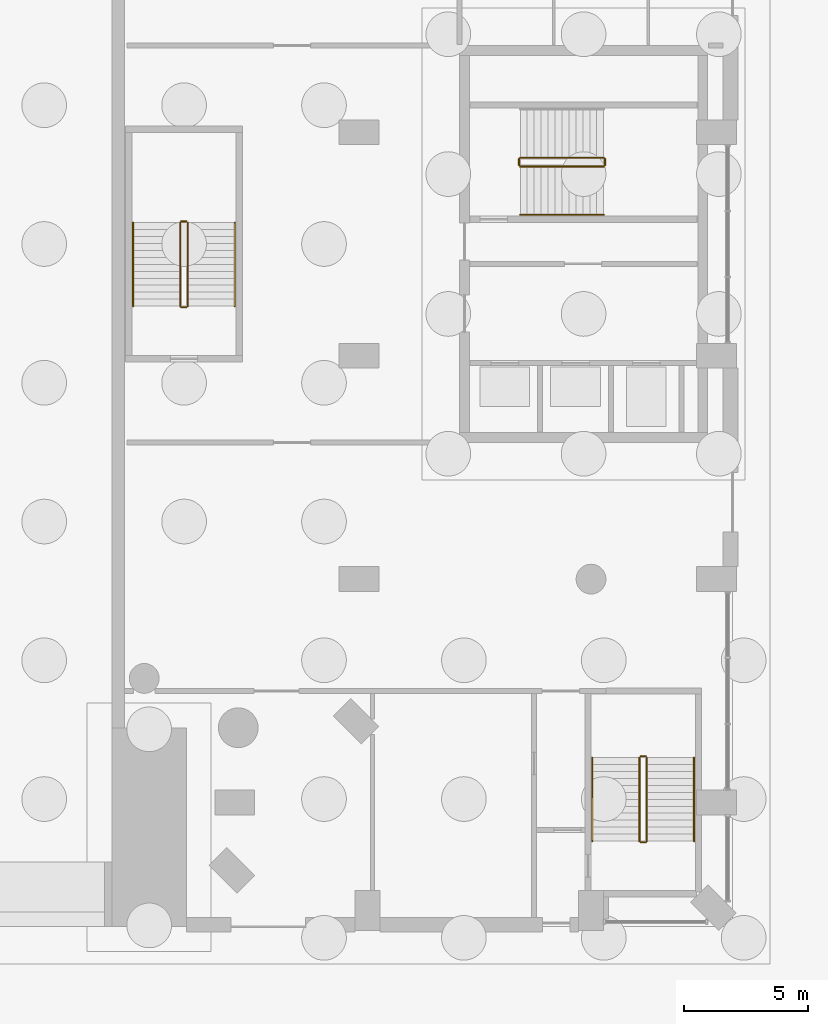
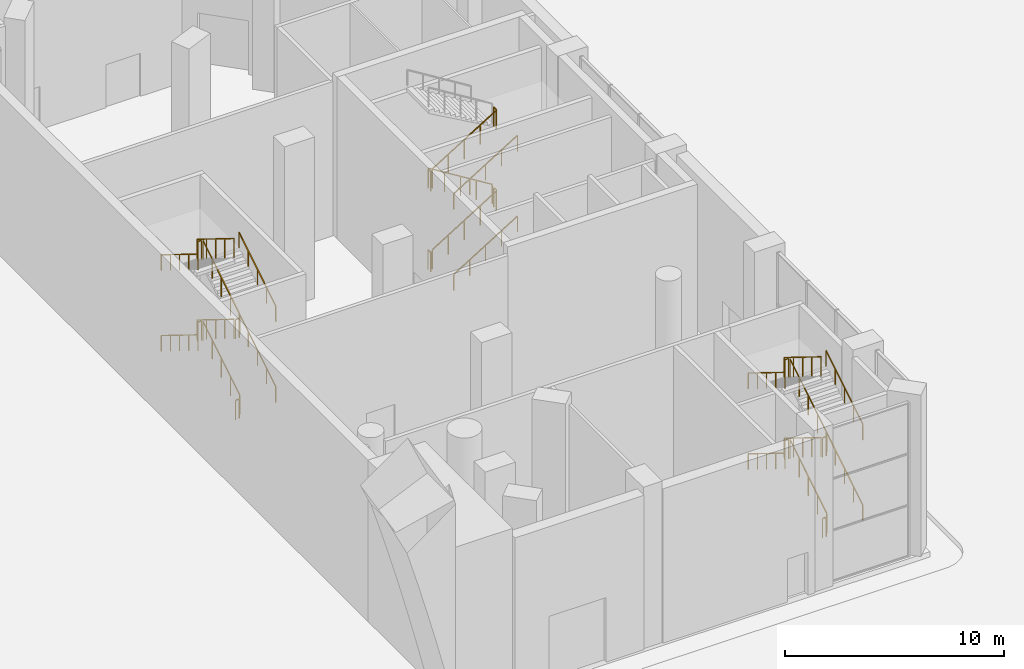
# One storey, part 22 of 25: 33 railings.
"""IFC4 building model written with IfcOpenShell, lengths in metres."""

from ifc_helpers import new_model, si_unit, direction, frame, origin, origin_2d, place, context, subcontext, project, spatial, rectangle, extrude, material, type_object, element, save


model = new_model("IFC4")

# Units and contexts
model_context = context("Model", 3, precision=1e-05, world=origin(), true_north=direction((0.0, 1.0)))
body_context = subcontext(model_context, "Body", "Model", "MODEL_VIEW")
ifc_project = project(units=[si_unit("LENGTHUNIT", "METRE"), si_unit("AREAUNIT", "SQUARE_METRE"), si_unit("VOLUMEUNIT", "CUBIC_METRE"), si_unit("PLANEANGLEUNIT", "RADIAN"), si_unit("MASSUNIT", "GRAM", prefix="KILO")], contexts=[model_context])

# Site, building, storey
site_placement = place(None, origin())
site = spatial("IfcSite", under=ifc_project, at=site_placement, CompositionType="ELEMENT")
building_placement = place(site_placement, origin())
building = spatial("IfcBuilding", under=site, at=building_placement, Name="Cypress Arch Tower", CompositionType="ELEMENT")
storey_placement = place(building_placement, origin())
storey = spatial("IfcBuildingStorey", under=building, at=storey_placement, Name="L00", CompositionType="ELEMENT", Elevation=0.0)

# Railings
ifc_material_1 = material(Name="Black powder-coated steel square bar 48 mm", Category="steel")
railing_type_1 = type_object("IfcRailingType", Name="Stair handrail HR1", PredefinedType="HANDRAIL", material=ifc_material_1)
railing_1_placement = place(storey_placement, frame((18.949951171875, -2.5, 0.173095703125)))
element("IfcRailing", 1, at=railing_1_placement, inside=storey, type_object=railing_type_1, Name="L00 C stair handrail 1", PredefinedType="HANDRAIL", context=body_context, shape_type="SweptSolid", body=[
    extrude(rectangle(XDim=0.048095703125, YDim=0.048095703125, at=origin_2d()), frame((0.0, 0.0, 0.8759765625), z_axis=(0.0, 0.850623216509, 0.525775754039), x_axis=(-1.0, 0.0, 0.0)), (0.0, 0.0, 1.0), 3.9501953125),
    extrude(rectangle(XDim=0.0419921875, YDim=0.0419921875, at=origin_2d()), origin(), (0.0, 0.0, 1.0), 0.851806640625),
    extrude(rectangle(XDim=0.0419921875, YDim=0.0419921875, at=origin_2d()), frame((0.0, 0.840087890625, 0.519287109375)), (0.0, 0.0, 1.0), 0.851806640625),
    extrude(rectangle(XDim=0.0419921875, YDim=0.0419921875, at=origin_2d()), frame((0.0, 1.68017578125, 1.03857421875)), (0.0, 0.0, 1.0), 0.851806640625),
    extrude(rectangle(XDim=0.0419921875, YDim=0.0419921875, at=origin_2d()), frame((0.0, 2.52001953125, 1.5576171875)), (0.0, 0.0, 1.0), 0.851806640625),
    extrude(rectangle(XDim=0.0419921875, YDim=0.0419921875, at=origin_2d()), frame((0.0, 3.360107421875, 2.076904296875)), (0.0, 0.0, 1.0), 0.851806640625),
])
railing_2_placement = place(storey_placement, frame((14.85009765625, 0.860107421875, 2.423095703125)))
element("IfcRailing", 2, at=railing_2_placement, inside=storey, type_object=railing_type_1, Name="L00 C stair handrail 2", PredefinedType="HANDRAIL", context=body_context, shape_type="SweptSolid", body=[
    extrude(rectangle(XDim=0.048095703125, YDim=0.048095703125, at=origin_2d()), frame((0.0, 0.0, 0.8759765625), z_axis=(0.0, -0.850623216509, 0.525775754039), x_axis=(1.0, 0.0, 0.0)), (0.0, 0.0, 1.0), 3.9501953125),
    extrude(rectangle(XDim=0.0419921875, YDim=0.0419921875, at=origin_2d()), origin(), (0.0, 0.0, 1.0), 0.851806640625),
    extrude(rectangle(XDim=0.0419921875, YDim=0.0419921875, at=origin_2d()), frame((0.0, -0.840087890625, 0.519287109375)), (0.0, 0.0, 1.0), 0.851806640625),
    extrude(rectangle(XDim=0.0419921875, YDim=0.0419921875, at=origin_2d()), frame((0.0, -1.68017578125, 1.03857421875)), (0.0, 0.0, 1.0), 0.851806640625),
    extrude(rectangle(XDim=0.0419921875, YDim=0.0419921875, at=origin_2d()), frame((0.0, -2.52001953125, 1.5576171875)), (0.0, 0.0, 1.0), 0.851806640625),
    extrude(rectangle(XDim=0.0419921875, YDim=0.0419921875, at=origin_2d()), frame((0.0, -3.360107421875, 2.076904296875)), (0.0, 0.0, 1.0), 0.851806640625),
])
railing_3_placement = place(storey_placement, frame((18.949951171875, -2.5, 4.673095703125)))
element("IfcRailing", 3, at=railing_3_placement, inside=storey, type_object=railing_type_1, Name="L00 C stair handrail 3", PredefinedType="HANDRAIL", context=body_context, shape_type="SweptSolid", body=[
    extrude(rectangle(XDim=0.048095703125, YDim=0.048095703125, at=origin_2d()), frame((0.0, 0.0, 0.8759765625), z_axis=(0.0, 0.850623216509, 0.525775754039), x_axis=(-1.0, 0.0, 0.0)), (0.0, 0.0, 1.0), 3.9501953125),
    extrude(rectangle(XDim=0.0419921875, YDim=0.0419921875, at=origin_2d()), origin(), (0.0, 0.0, 1.0), 0.851806640625),
    extrude(rectangle(XDim=0.0419921875, YDim=0.0419921875, at=origin_2d()), frame((0.0, 0.840087890625, 0.519287109375)), (0.0, 0.0, 1.0), 0.851806640625),
    extrude(rectangle(XDim=0.0419921875, YDim=0.0419921875, at=origin_2d()), frame((0.0, 1.68017578125, 1.03857421875)), (0.0, 0.0, 1.0), 0.851806640625),
    extrude(rectangle(XDim=0.0419921875, YDim=0.0419921875, at=origin_2d()), frame((0.0, 2.52001953125, 1.5576171875)), (0.0, 0.0, 1.0), 0.851806640625),
    extrude(rectangle(XDim=0.0419921875, YDim=0.0419921875, at=origin_2d()), frame((0.0, 3.360107421875, 2.076904296875)), (0.0, 0.0, 1.0), 0.851806640625),
])
railing_4_placement = place(storey_placement, frame((14.85009765625, 0.860107421875, 6.923095703125)))
element("IfcRailing", 4, at=railing_4_placement, inside=storey, type_object=railing_type_1, Name="L00 C stair handrail 4", PredefinedType="HANDRAIL", context=body_context, shape_type="SweptSolid", body=[
    extrude(rectangle(XDim=0.048095703125, YDim=0.048095703125, at=origin_2d()), frame((0.0, 0.0, 0.8759765625), z_axis=(0.0, -0.850623216509, 0.525775754039), x_axis=(1.0, 0.0, 0.0)), (0.0, 0.0, 1.0), 3.9501953125),
    extrude(rectangle(XDim=0.0419921875, YDim=0.0419921875, at=origin_2d()), origin(), (0.0, 0.0, 1.0), 0.851806640625),
    extrude(rectangle(XDim=0.0419921875, YDim=0.0419921875, at=origin_2d()), frame((0.0, -0.840087890625, 0.519287109375)), (0.0, 0.0, 1.0), 0.851806640625),
    extrude(rectangle(XDim=0.0419921875, YDim=0.0419921875, at=origin_2d()), frame((0.0, -1.68017578125, 1.03857421875)), (0.0, 0.0, 1.0), 0.851806640625),
    extrude(rectangle(XDim=0.0419921875, YDim=0.0419921875, at=origin_2d()), frame((0.0, -2.52001953125, 1.5576171875)), (0.0, 0.0, 1.0), 0.851806640625),
    extrude(rectangle(XDim=0.0419921875, YDim=0.0419921875, at=origin_2d()), frame((0.0, -3.360107421875, 2.076904296875)), (0.0, 0.0, 1.0), 0.851806640625),
])
for number, where, name in (
    (5, (30.449951171875, 1.175048828125, 0.173095703125), "L00 P3 stair handrail 1"),
    (6, (30.449951171875, 1.175048828125, 4.673095703125), "L00 P3 stair handrail 3"),
):
    element("IfcRailing", number, at=place(storey_placement, frame(where)), inside=storey, type_object=railing_type_1, Name=name, PredefinedType="HANDRAIL", context=body_context, shape_type="SweptSolid", body=[
        extrude(rectangle(XDim=0.048095703125, YDim=0.048095703125, at=origin_2d()), frame((0.0, 0.0, 0.8759765625), z_axis=(0.850623216509, 0.0, 0.525775754039), x_axis=(0.0, 1.0, 0.0)), (0.0, 0.0, 1.0), 3.9501953125),
        extrude(rectangle(XDim=0.0419921875, YDim=0.0419921875, at=origin_2d()), origin(), (0.0, 0.0, 1.0), 0.851806640625),
        extrude(rectangle(XDim=0.0419921875, YDim=0.0419921875, at=origin_2d()), frame((0.840087890625, 0.0, 0.519287109375)), (0.0, 0.0, 1.0), 0.851806640625),
        extrude(rectangle(XDim=0.0419921875, YDim=0.0419921875, at=origin_2d()), frame((1.68017578125, 0.0, 1.03857421875)), (0.0, 0.0, 1.0), 0.851806640625),
        extrude(rectangle(XDim=0.0419921875, YDim=0.0419921875, at=origin_2d()), frame((2.52001953125, 0.0, 1.5576171875)), (0.0, 0.0, 1.0), 0.851806640625),
        extrude(rectangle(XDim=0.0419921875, YDim=0.0419921875, at=origin_2d()), frame((3.360107421875, 0.0, 2.076904296875)), (0.0, 0.0, 1.0), 0.851806640625),
    ])
railing_5_placement = place(storey_placement, frame((37.449951171875, -24.050048828125, 0.173095703125)))
element("IfcRailing", 7, at=railing_5_placement, inside=storey, type_object=railing_type_1, Name="L00 P4 stair handrail 1", PredefinedType="HANDRAIL", context=body_context, shape_type="SweptSolid", body=[
    extrude(rectangle(XDim=0.048095703125, YDim=0.048095703125, at=origin_2d()), frame((0.0, 0.0, 0.8759765625), z_axis=(0.0, 0.850623216509, 0.525775754039), x_axis=(-1.0, 0.0, 0.0)), (0.0, 0.0, 1.0), 3.9501953125),
    extrude(rectangle(XDim=0.0419921875, YDim=0.0419921875, at=origin_2d()), origin(), (0.0, 0.0, 1.0), 0.851806640625),
    extrude(rectangle(XDim=0.0419921875, YDim=0.0419921875, at=origin_2d()), frame((0.0, 0.840087890625, 0.519287109375)), (0.0, 0.0, 1.0), 0.851806640625),
    extrude(rectangle(XDim=0.0419921875, YDim=0.0419921875, at=origin_2d()), frame((0.0, 1.68017578125, 1.03857421875)), (0.0, 0.0, 1.0), 0.851806640625),
    extrude(rectangle(XDim=0.0419921875, YDim=0.0419921875, at=origin_2d()), frame((0.0, 2.52001953125, 1.5576171875)), (0.0, 0.0, 1.0), 0.851806640625),
    extrude(rectangle(XDim=0.0419921875, YDim=0.0419921875, at=origin_2d()), frame((0.0, 3.360107421875, 2.076904296875)), (0.0, 0.0, 1.0), 0.851806640625),
])
railing_6_placement = place(storey_placement, frame((33.35009765625, -20.68994140625, 2.423095703125)))
element("IfcRailing", 8, at=railing_6_placement, inside=storey, type_object=railing_type_1, Name="L00 P4 stair handrail 2", PredefinedType="HANDRAIL", context=body_context, shape_type="SweptSolid", body=[
    extrude(rectangle(XDim=0.048095703125, YDim=0.048095703125, at=origin_2d()), frame((0.0, 0.0, 0.8759765625), z_axis=(0.0, -0.850623216509, 0.525775754039), x_axis=(1.0, 0.0, 0.0)), (0.0, 0.0, 1.0), 3.9501953125),
    extrude(rectangle(XDim=0.0419921875, YDim=0.0419921875, at=origin_2d()), origin(), (0.0, 0.0, 1.0), 0.851806640625),
    extrude(rectangle(XDim=0.0419921875, YDim=0.0419921875, at=origin_2d()), frame((0.0, -0.840087890625, 0.519287109375)), (0.0, 0.0, 1.0), 0.851806640625),
    extrude(rectangle(XDim=0.0419921875, YDim=0.0419921875, at=origin_2d()), frame((0.0, -1.68017578125, 1.03857421875)), (0.0, 0.0, 1.0), 0.851806640625),
    extrude(rectangle(XDim=0.0419921875, YDim=0.0419921875, at=origin_2d()), frame((0.0, -2.52001953125, 1.5576171875)), (0.0, 0.0, 1.0), 0.851806640625),
    extrude(rectangle(XDim=0.0419921875, YDim=0.0419921875, at=origin_2d()), frame((0.0, -3.360107421875, 2.076904296875)), (0.0, 0.0, 1.0), 0.851806640625),
])
railing_7_placement = place(storey_placement, frame((37.449951171875, -24.050048828125, 4.673095703125)))
element("IfcRailing", 9, at=railing_7_placement, inside=storey, type_object=railing_type_1, Name="L00 P4 stair handrail 3", PredefinedType="HANDRAIL", context=body_context, shape_type="SweptSolid", body=[
    extrude(rectangle(XDim=0.048095703125, YDim=0.048095703125, at=origin_2d()), frame((0.0, 0.0, 0.8759765625), z_axis=(0.0, 0.850623216509, 0.525775754039), x_axis=(-1.0, 0.0, 0.0)), (0.0, 0.0, 1.0), 3.9501953125),
    extrude(rectangle(XDim=0.0419921875, YDim=0.0419921875, at=origin_2d()), origin(), (0.0, 0.0, 1.0), 0.851806640625),
    extrude(rectangle(XDim=0.0419921875, YDim=0.0419921875, at=origin_2d()), frame((0.0, 0.840087890625, 0.519287109375)), (0.0, 0.0, 1.0), 0.851806640625),
    extrude(rectangle(XDim=0.0419921875, YDim=0.0419921875, at=origin_2d()), frame((0.0, 1.68017578125, 1.03857421875)), (0.0, 0.0, 1.0), 0.851806640625),
    extrude(rectangle(XDim=0.0419921875, YDim=0.0419921875, at=origin_2d()), frame((0.0, 2.52001953125, 1.5576171875)), (0.0, 0.0, 1.0), 0.851806640625),
    extrude(rectangle(XDim=0.0419921875, YDim=0.0419921875, at=origin_2d()), frame((0.0, 3.360107421875, 2.076904296875)), (0.0, 0.0, 1.0), 0.851806640625),
])
railing_8_placement = place(storey_placement, frame((33.35009765625, -20.68994140625, 6.923095703125)))
element("IfcRailing", 10, at=railing_8_placement, inside=storey, type_object=railing_type_1, Name="L00 P4 stair handrail 4", PredefinedType="HANDRAIL", context=body_context, shape_type="SweptSolid", body=[
    extrude(rectangle(XDim=0.048095703125, YDim=0.048095703125, at=origin_2d()), frame((0.0, 0.0, 0.8759765625), z_axis=(0.0, -0.850623216509, 0.525775754039), x_axis=(1.0, 0.0, 0.0)), (0.0, 0.0, 1.0), 3.9501953125),
    extrude(rectangle(XDim=0.0419921875, YDim=0.0419921875, at=origin_2d()), origin(), (0.0, 0.0, 1.0), 0.851806640625),
    extrude(rectangle(XDim=0.0419921875, YDim=0.0419921875, at=origin_2d()), frame((0.0, -0.840087890625, 0.519287109375)), (0.0, 0.0, 1.0), 0.851806640625),
    extrude(rectangle(XDim=0.0419921875, YDim=0.0419921875, at=origin_2d()), frame((0.0, -1.68017578125, 1.03857421875)), (0.0, 0.0, 1.0), 0.851806640625),
    extrude(rectangle(XDim=0.0419921875, YDim=0.0419921875, at=origin_2d()), frame((0.0, -2.52001953125, 1.5576171875)), (0.0, 0.0, 1.0), 0.851806640625),
    extrude(rectangle(XDim=0.0419921875, YDim=0.0419921875, at=origin_2d()), frame((0.0, -3.360107421875, 2.076904296875)), (0.0, 0.0, 1.0), 0.851806640625),
])
ifc_material_2 = material(Name="Black powder-coated steel balusters", Category="steel")
railing_type_2 = type_object("IfcRailingType", Name="Stair well guard G1", PredefinedType="GUARDRAIL", material=ifc_material_2)
railing_9_placement = place(storey_placement, frame((17.050048828125, -2.5, 0.173095703125)))
element("IfcRailing", 11, at=railing_9_placement, inside=storey, type_object=railing_type_2, Name="L00 C stair guard 1", PredefinedType="GUARDRAIL", context=body_context, shape_type="SweptSolid", body=[
    extrude(rectangle(XDim=0.048095703125, YDim=0.048095703125, at=origin_2d()), frame((0.0, 0.0, 1.076171875), z_axis=(0.0, 0.850623216509, 0.525775754039), x_axis=(-1.0, 0.0, 0.0)), (0.0, 0.0, 1.0), 3.9501953125),
    extrude(rectangle(XDim=0.0419921875, YDim=0.0419921875, at=origin_2d()), origin(), (0.0, 0.0, 1.0), 1.052001953125),
    extrude(rectangle(XDim=0.0419921875, YDim=0.0419921875, at=origin_2d()), frame((0.0, 0.840087890625, 0.519287109375)), (0.0, 0.0, 1.0), 1.052001953125),
    extrude(rectangle(XDim=0.0419921875, YDim=0.0419921875, at=origin_2d()), frame((0.0, 1.68017578125, 1.03857421875)), (0.0, 0.0, 1.0), 1.052001953125),
    extrude(rectangle(XDim=0.0419921875, YDim=0.0419921875, at=origin_2d()), frame((0.0, 2.52001953125, 1.5576171875)), (0.0, 0.0, 1.0), 1.052001953125),
    extrude(rectangle(XDim=0.0419921875, YDim=0.0419921875, at=origin_2d()), frame((0.0, 3.360107421875, 2.076904296875)), (0.0, 0.0, 1.0), 1.052001953125),
])
railing_10_placement = place(storey_placement, frame((17.0, 0.909912109375, 2.25)))
element("IfcRailing", 12, at=railing_10_placement, inside=storey, type_object=railing_type_2, Name="L00 C stair guard 2", PredefinedType="GUARDRAIL", context=body_context, shape_type="SweptSolid", body=[
    extrude(rectangle(XDim=0.048095703125, YDim=0.048095703125, at=origin_2d()), frame((0.0, 0.0, 1.076171875), z_axis=(-1.0, 0.0, 0.0), x_axis=(0.0, -1.0, 0.0)), (0.0, 0.0, 1.0), 0.199951171875),
    extrude(rectangle(XDim=0.0419921875, YDim=0.0419921875, at=origin_2d()), origin(), (0.0, 0.0, 1.0), 1.052001953125),
    extrude(rectangle(XDim=0.0419921875, YDim=0.0419921875, at=origin_2d()), frame((-0.199951171875, 0.0, 0.0)), (0.0, 0.0, 1.0), 1.052001953125),
])
railing_11_placement = place(storey_placement, frame((16.75, 0.860107421875, 2.423095703125)))
element("IfcRailing", 13, at=railing_11_placement, inside=storey, type_object=railing_type_2, Name="L00 C stair guard 3", PredefinedType="GUARDRAIL", context=body_context, shape_type="SweptSolid", body=[
    extrude(rectangle(XDim=0.048095703125, YDim=0.048095703125, at=origin_2d()), frame((0.0, 0.0, 1.076171875), z_axis=(0.0, -0.850623216509, 0.525775754039), x_axis=(1.0, 0.0, 0.0)), (0.0, 0.0, 1.0), 3.9501953125),
    extrude(rectangle(XDim=0.0419921875, YDim=0.0419921875, at=origin_2d()), origin(), (0.0, 0.0, 1.0), 1.052001953125),
    extrude(rectangle(XDim=0.0419921875, YDim=0.0419921875, at=origin_2d()), frame((0.0, -0.840087890625, 0.519287109375)), (0.0, 0.0, 1.0), 1.052001953125),
    extrude(rectangle(XDim=0.0419921875, YDim=0.0419921875, at=origin_2d()), frame((0.0, -1.68017578125, 1.03857421875)), (0.0, 0.0, 1.0), 1.052001953125),
    extrude(rectangle(XDim=0.0419921875, YDim=0.0419921875, at=origin_2d()), frame((0.0, -2.52001953125, 1.5576171875)), (0.0, 0.0, 1.0), 1.052001953125),
    extrude(rectangle(XDim=0.0419921875, YDim=0.0419921875, at=origin_2d()), frame((0.0, -3.360107421875, 2.076904296875)), (0.0, 0.0, 1.0), 1.052001953125),
])
railing_12_placement = place(storey_placement, frame((17.0, -2.550048828125, 4.5)))
element("IfcRailing", 14, at=railing_12_placement, inside=storey, type_object=railing_type_2, Name="L00 C stair guard 4", PredefinedType="GUARDRAIL", context=body_context, shape_type="SweptSolid", body=[
    extrude(rectangle(XDim=0.048095703125, YDim=0.048095703125, at=origin_2d()), frame((0.0, 0.0, 1.076171875), z_axis=(-1.0, 0.0, 0.0), x_axis=(0.0, -1.0, 0.0)), (0.0, 0.0, 1.0), 0.199951171875),
    extrude(rectangle(XDim=0.0419921875, YDim=0.0419921875, at=origin_2d()), origin(), (0.0, 0.0, 1.0), 1.052001953125),
    extrude(rectangle(XDim=0.0419921875, YDim=0.0419921875, at=origin_2d()), frame((-0.199951171875, 0.0, 0.0)), (0.0, 0.0, 1.0), 1.052001953125),
])
railing_13_placement = place(storey_placement, frame((17.050048828125, -2.5, 4.673095703125)))
element("IfcRailing", 15, at=railing_13_placement, inside=storey, type_object=railing_type_2, Name="L00 C stair guard 5", PredefinedType="GUARDRAIL", context=body_context, shape_type="SweptSolid", body=[
    extrude(rectangle(XDim=0.048095703125, YDim=0.048095703125, at=origin_2d()), frame((0.0, 0.0, 1.076171875), z_axis=(0.0, 0.850623216509, 0.525775754039), x_axis=(-1.0, 0.0, 0.0)), (0.0, 0.0, 1.0), 3.9501953125),
    extrude(rectangle(XDim=0.0419921875, YDim=0.0419921875, at=origin_2d()), origin(), (0.0, 0.0, 1.0), 1.052001953125),
    extrude(rectangle(XDim=0.0419921875, YDim=0.0419921875, at=origin_2d()), frame((0.0, 0.840087890625, 0.519287109375)), (0.0, 0.0, 1.0), 1.052001953125),
    extrude(rectangle(XDim=0.0419921875, YDim=0.0419921875, at=origin_2d()), frame((0.0, 1.68017578125, 1.03857421875)), (0.0, 0.0, 1.0), 1.052001953125),
    extrude(rectangle(XDim=0.0419921875, YDim=0.0419921875, at=origin_2d()), frame((0.0, 2.52001953125, 1.5576171875)), (0.0, 0.0, 1.0), 1.052001953125),
    extrude(rectangle(XDim=0.0419921875, YDim=0.0419921875, at=origin_2d()), frame((0.0, 3.360107421875, 2.076904296875)), (0.0, 0.0, 1.0), 1.052001953125),
])
railing_14_placement = place(storey_placement, frame((17.0, 0.909912109375, 6.75)))
element("IfcRailing", 16, at=railing_14_placement, inside=storey, type_object=railing_type_2, Name="L00 C stair guard 6", PredefinedType="GUARDRAIL", context=body_context, shape_type="SweptSolid", body=[
    extrude(rectangle(XDim=0.048095703125, YDim=0.048095703125, at=origin_2d()), frame((0.0, 0.0, 1.076171875), z_axis=(-1.0, 0.0, 0.0), x_axis=(0.0, -1.0, 0.0)), (0.0, 0.0, 1.0), 0.199951171875),
    extrude(rectangle(XDim=0.0419921875, YDim=0.0419921875, at=origin_2d()), origin(), (0.0, 0.0, 1.0), 1.052001953125),
    extrude(rectangle(XDim=0.0419921875, YDim=0.0419921875, at=origin_2d()), frame((-0.199951171875, 0.0, 0.0)), (0.0, 0.0, 1.0), 1.052001953125),
])
railing_15_placement = place(storey_placement, frame((16.75, 0.860107421875, 6.923095703125)))
element("IfcRailing", 17, at=railing_15_placement, inside=storey, type_object=railing_type_2, Name="L00 C stair guard 7", PredefinedType="GUARDRAIL", context=body_context, shape_type="SweptSolid", body=[
    extrude(rectangle(XDim=0.048095703125, YDim=0.048095703125, at=origin_2d()), frame((0.0, 0.0, 1.076171875), z_axis=(0.0, -0.850623216509, 0.525775754039), x_axis=(1.0, 0.0, 0.0)), (0.0, 0.0, 1.0), 3.9501953125),
    extrude(rectangle(XDim=0.0419921875, YDim=0.0419921875, at=origin_2d()), origin(), (0.0, 0.0, 1.0), 1.052001953125),
    extrude(rectangle(XDim=0.0419921875, YDim=0.0419921875, at=origin_2d()), frame((0.0, -0.840087890625, 0.519287109375)), (0.0, 0.0, 1.0), 1.052001953125),
    extrude(rectangle(XDim=0.0419921875, YDim=0.0419921875, at=origin_2d()), frame((0.0, -1.68017578125, 1.03857421875)), (0.0, 0.0, 1.0), 1.052001953125),
    extrude(rectangle(XDim=0.0419921875, YDim=0.0419921875, at=origin_2d()), frame((0.0, -2.52001953125, 1.5576171875)), (0.0, 0.0, 1.0), 1.052001953125),
    extrude(rectangle(XDim=0.0419921875, YDim=0.0419921875, at=origin_2d()), frame((0.0, -3.360107421875, 2.076904296875)), (0.0, 0.0, 1.0), 1.052001953125),
])
railing_16_placement = place(storey_placement, frame((17.0, -2.550048828125, 0.0)))
element("IfcRailing", 18, at=railing_16_placement, inside=storey, type_object=railing_type_2, Name="L00 C stair guard 8", PredefinedType="GUARDRAIL", context=body_context, shape_type="SweptSolid", body=[
    extrude(rectangle(XDim=0.048095703125, YDim=0.048095703125, at=origin_2d()), frame((0.0, 0.0, 1.076171875), z_axis=(-1.0, 0.0, 0.0), x_axis=(0.0, -1.0, 0.0)), (0.0, 0.0, 1.0), 0.199951171875),
    extrude(rectangle(XDim=0.0419921875, YDim=0.0419921875, at=origin_2d()), origin(), (0.0, 0.0, 1.0), 1.052001953125),
    extrude(rectangle(XDim=0.0419921875, YDim=0.0419921875, at=origin_2d()), frame((-0.199951171875, 0.0, 0.0)), (0.0, 0.0, 1.0), 1.052001953125),
])
railing_17_placement = place(storey_placement, frame((30.449951171875, 3.125, 0.173095703125)))
element("IfcRailing", 19, at=railing_17_placement, inside=storey, type_object=railing_type_2, Name="L00 P3 stair guard 1", PredefinedType="GUARDRAIL", context=body_context, shape_type="SweptSolid", body=[
    extrude(rectangle(XDim=0.048095703125, YDim=0.048095703125, at=origin_2d()), frame((0.0, 0.0, 1.076171875), z_axis=(0.850623216509, 0.0, 0.525775754039), x_axis=(0.0, 1.0, 0.0)), (0.0, 0.0, 1.0), 3.9501953125),
    extrude(rectangle(XDim=0.0419921875, YDim=0.0419921875, at=origin_2d()), origin(), (0.0, 0.0, 1.0), 1.052001953125),
    extrude(rectangle(XDim=0.0419921875, YDim=0.0419921875, at=origin_2d()), frame((0.840087890625, 0.0, 0.519287109375)), (0.0, 0.0, 1.0), 1.052001953125),
    extrude(rectangle(XDim=0.0419921875, YDim=0.0419921875, at=origin_2d()), frame((1.68017578125, 0.0, 1.03857421875)), (0.0, 0.0, 1.0), 1.052001953125),
    extrude(rectangle(XDim=0.0419921875, YDim=0.0419921875, at=origin_2d()), frame((2.52001953125, 0.0, 1.5576171875)), (0.0, 0.0, 1.0), 1.052001953125),
    extrude(rectangle(XDim=0.0419921875, YDim=0.0419921875, at=origin_2d()), frame((3.360107421875, 0.0, 2.076904296875)), (0.0, 0.0, 1.0), 1.052001953125),
])
railing_18_placement = place(storey_placement, frame((33.860107421875, 3.175048828125, 2.25)))
element("IfcRailing", 20, at=railing_18_placement, inside=storey, type_object=railing_type_2, Name="L00 P3 stair guard 2", PredefinedType="GUARDRAIL", context=body_context, shape_type="SweptSolid", body=[
    extrude(rectangle(XDim=0.048095703125, YDim=0.048095703125, at=origin_2d()), frame((0.0, 0.0, 1.076171875), z_axis=(0.0, 1.0, 0.0), x_axis=(-1.0, 0.0, 0.0)), (0.0, 0.0, 1.0), 0.25),
    extrude(rectangle(XDim=0.0419921875, YDim=0.0419921875, at=origin_2d()), origin(), (0.0, 0.0, 1.0), 1.052001953125),
    extrude(rectangle(XDim=0.0419921875, YDim=0.0419921875, at=origin_2d()), frame((0.0, 0.25, 0.0)), (0.0, 0.0, 1.0), 1.052001953125),
])
railing_19_placement = place(storey_placement, frame((33.81005859375, 3.47509765625, 2.423095703125)))
element("IfcRailing", 21, at=railing_19_placement, inside=storey, type_object=railing_type_2, Name="L00 P3 stair guard 3", PredefinedType="GUARDRAIL", context=body_context, shape_type="SweptSolid", body=[
    extrude(rectangle(XDim=0.048095703125, YDim=0.048095703125, at=origin_2d()), frame((0.0, 0.0, 1.076171875), z_axis=(-0.850623216509, 0.0, 0.525775754039), x_axis=(0.0, -1.0, 0.0)), (0.0, 0.0, 1.0), 3.9501953125),
    extrude(rectangle(XDim=0.0419921875, YDim=0.0419921875, at=origin_2d()), origin(), (0.0, 0.0, 1.0), 1.052001953125),
    extrude(rectangle(XDim=0.0419921875, YDim=0.0419921875, at=origin_2d()), frame((-0.840087890625, 0.0, 0.519287109375)), (0.0, 0.0, 1.0), 1.052001953125),
    extrude(rectangle(XDim=0.0419921875, YDim=0.0419921875, at=origin_2d()), frame((-1.68017578125, 0.0, 1.03857421875)), (0.0, 0.0, 1.0), 1.052001953125),
    extrude(rectangle(XDim=0.0419921875, YDim=0.0419921875, at=origin_2d()), frame((-2.52001953125, 0.0, 1.5576171875)), (0.0, 0.0, 1.0), 1.052001953125),
    extrude(rectangle(XDim=0.0419921875, YDim=0.0419921875, at=origin_2d()), frame((-3.360107421875, 0.0, 2.076904296875)), (0.0, 0.0, 1.0), 1.052001953125),
])
railing_20_placement = place(storey_placement, frame((30.39990234375, 3.175048828125, 4.5)))
element("IfcRailing", 22, at=railing_20_placement, inside=storey, type_object=railing_type_2, Name="L00 P3 stair guard 4", PredefinedType="GUARDRAIL", context=body_context, shape_type="SweptSolid", body=[
    extrude(rectangle(XDim=0.048095703125, YDim=0.048095703125, at=origin_2d()), frame((0.0, 0.0, 1.076171875), z_axis=(0.0, 1.0, 0.0), x_axis=(-1.0, 0.0, 0.0)), (0.0, 0.0, 1.0), 0.25),
    extrude(rectangle(XDim=0.0419921875, YDim=0.0419921875, at=origin_2d()), origin(), (0.0, 0.0, 1.0), 1.052001953125),
    extrude(rectangle(XDim=0.0419921875, YDim=0.0419921875, at=origin_2d()), frame((0.0, 0.25, 0.0)), (0.0, 0.0, 1.0), 1.052001953125),
])
railing_21_placement = place(storey_placement, frame((30.449951171875, 3.125, 4.673095703125)))
element("IfcRailing", 23, at=railing_21_placement, inside=storey, type_object=railing_type_2, Name="L00 P3 stair guard 5", PredefinedType="GUARDRAIL", context=body_context, shape_type="SweptSolid", body=[
    extrude(rectangle(XDim=0.048095703125, YDim=0.048095703125, at=origin_2d()), frame((0.0, 0.0, 1.076171875), z_axis=(0.850623216509, 0.0, 0.525775754039), x_axis=(0.0, 1.0, 0.0)), (0.0, 0.0, 1.0), 3.9501953125),
    extrude(rectangle(XDim=0.0419921875, YDim=0.0419921875, at=origin_2d()), origin(), (0.0, 0.0, 1.0), 1.052001953125),
    extrude(rectangle(XDim=0.0419921875, YDim=0.0419921875, at=origin_2d()), frame((0.840087890625, 0.0, 0.519287109375)), (0.0, 0.0, 1.0), 1.052001953125),
    extrude(rectangle(XDim=0.0419921875, YDim=0.0419921875, at=origin_2d()), frame((1.68017578125, 0.0, 1.03857421875)), (0.0, 0.0, 1.0), 1.052001953125),
    extrude(rectangle(XDim=0.0419921875, YDim=0.0419921875, at=origin_2d()), frame((2.52001953125, 0.0, 1.5576171875)), (0.0, 0.0, 1.0), 1.052001953125),
    extrude(rectangle(XDim=0.0419921875, YDim=0.0419921875, at=origin_2d()), frame((3.360107421875, 0.0, 2.076904296875)), (0.0, 0.0, 1.0), 1.052001953125),
])
for number, where, name in (
    (24, (33.860107421875, 3.175048828125, 6.75), "L00 P3 stair guard 6"),
    (25, (30.39990234375, 3.175048828125, 0.0), "L00 P3 stair guard 8"),
):
    element("IfcRailing", number, at=place(storey_placement, frame(where)), inside=storey, type_object=railing_type_2, Name=name, PredefinedType="GUARDRAIL", context=body_context, shape_type="SweptSolid", body=[
        extrude(rectangle(XDim=0.048095703125, YDim=0.048095703125, at=origin_2d()), frame((0.0, 0.0, 1.076171875), z_axis=(0.0, 1.0, 0.0), x_axis=(-1.0, 0.0, 0.0)), (0.0, 0.0, 1.0), 0.25),
        extrude(rectangle(XDim=0.0419921875, YDim=0.0419921875, at=origin_2d()), origin(), (0.0, 0.0, 1.0), 1.052001953125),
        extrude(rectangle(XDim=0.0419921875, YDim=0.0419921875, at=origin_2d()), frame((0.0, 0.25, 0.0)), (0.0, 0.0, 1.0), 1.052001953125),
    ])
railing_22_placement = place(storey_placement, frame((35.550048828125, -24.050048828125, 0.173095703125)))
element("IfcRailing", 26, at=railing_22_placement, inside=storey, type_object=railing_type_2, Name="L00 P4 stair guard 1", PredefinedType="GUARDRAIL", context=body_context, shape_type="SweptSolid", body=[
    extrude(rectangle(XDim=0.048095703125, YDim=0.048095703125, at=origin_2d()), frame((0.0, 0.0, 1.076171875), z_axis=(0.0, 0.850623216509, 0.525775754039), x_axis=(-1.0, 0.0, 0.0)), (0.0, 0.0, 1.0), 3.9501953125),
    extrude(rectangle(XDim=0.0419921875, YDim=0.0419921875, at=origin_2d()), origin(), (0.0, 0.0, 1.0), 1.052001953125),
    extrude(rectangle(XDim=0.0419921875, YDim=0.0419921875, at=origin_2d()), frame((0.0, 0.840087890625, 0.519287109375)), (0.0, 0.0, 1.0), 1.052001953125),
    extrude(rectangle(XDim=0.0419921875, YDim=0.0419921875, at=origin_2d()), frame((0.0, 1.68017578125, 1.03857421875)), (0.0, 0.0, 1.0), 1.052001953125),
    extrude(rectangle(XDim=0.0419921875, YDim=0.0419921875, at=origin_2d()), frame((0.0, 2.52001953125, 1.5576171875)), (0.0, 0.0, 1.0), 1.052001953125),
    extrude(rectangle(XDim=0.0419921875, YDim=0.0419921875, at=origin_2d()), frame((0.0, 3.360107421875, 2.076904296875)), (0.0, 0.0, 1.0), 1.052001953125),
])
railing_23_placement = place(storey_placement, frame((35.5, -20.639892578125, 2.25)))
element("IfcRailing", 27, at=railing_23_placement, inside=storey, type_object=railing_type_2, Name="L00 P4 stair guard 2", PredefinedType="GUARDRAIL", context=body_context, shape_type="SweptSolid", body=[
    extrude(rectangle(XDim=0.048095703125, YDim=0.048095703125, at=origin_2d()), frame((0.0, 0.0, 1.076171875), z_axis=(-1.0, 0.0, 0.0), x_axis=(0.0, -1.0, 0.0)), (0.0, 0.0, 1.0), 0.199951171875),
    extrude(rectangle(XDim=0.0419921875, YDim=0.0419921875, at=origin_2d()), origin(), (0.0, 0.0, 1.0), 1.052001953125),
    extrude(rectangle(XDim=0.0419921875, YDim=0.0419921875, at=origin_2d()), frame((-0.199951171875, 0.0, 0.0)), (0.0, 0.0, 1.0), 1.052001953125),
])
railing_24_placement = place(storey_placement, frame((35.25, -20.68994140625, 2.423095703125)))
element("IfcRailing", 28, at=railing_24_placement, inside=storey, type_object=railing_type_2, Name="L00 P4 stair guard 3", PredefinedType="GUARDRAIL", context=body_context, shape_type="SweptSolid", body=[
    extrude(rectangle(XDim=0.048095703125, YDim=0.048095703125, at=origin_2d()), frame((0.0, 0.0, 1.076171875), z_axis=(0.0, -0.850623216509, 0.525775754039), x_axis=(1.0, 0.0, 0.0)), (0.0, 0.0, 1.0), 3.9501953125),
    extrude(rectangle(XDim=0.0419921875, YDim=0.0419921875, at=origin_2d()), origin(), (0.0, 0.0, 1.0), 1.052001953125),
    extrude(rectangle(XDim=0.0419921875, YDim=0.0419921875, at=origin_2d()), frame((0.0, -0.840087890625, 0.519287109375)), (0.0, 0.0, 1.0), 1.052001953125),
    extrude(rectangle(XDim=0.0419921875, YDim=0.0419921875, at=origin_2d()), frame((0.0, -1.68017578125, 1.03857421875)), (0.0, 0.0, 1.0), 1.052001953125),
    extrude(rectangle(XDim=0.0419921875, YDim=0.0419921875, at=origin_2d()), frame((0.0, -2.52001953125, 1.5576171875)), (0.0, 0.0, 1.0), 1.052001953125),
    extrude(rectangle(XDim=0.0419921875, YDim=0.0419921875, at=origin_2d()), frame((0.0, -3.360107421875, 2.076904296875)), (0.0, 0.0, 1.0), 1.052001953125),
])
railing_25_placement = place(storey_placement, frame((35.5, -24.10009765625, 4.5)))
element("IfcRailing", 29, at=railing_25_placement, inside=storey, type_object=railing_type_2, Name="L00 P4 stair guard 4", PredefinedType="GUARDRAIL", context=body_context, shape_type="SweptSolid", body=[
    extrude(rectangle(XDim=0.048095703125, YDim=0.048095703125, at=origin_2d()), frame((0.0, 0.0, 1.076171875), z_axis=(-1.0, 0.0, 0.0), x_axis=(0.0, -1.0, 0.0)), (0.0, 0.0, 1.0), 0.199951171875),
    extrude(rectangle(XDim=0.0419921875, YDim=0.0419921875, at=origin_2d()), origin(), (0.0, 0.0, 1.0), 1.052001953125),
    extrude(rectangle(XDim=0.0419921875, YDim=0.0419921875, at=origin_2d()), frame((-0.199951171875, 0.0, 0.0)), (0.0, 0.0, 1.0), 1.052001953125),
])
railing_26_placement = place(storey_placement, frame((35.550048828125, -24.050048828125, 4.673095703125)))
element("IfcRailing", 30, at=railing_26_placement, inside=storey, type_object=railing_type_2, Name="L00 P4 stair guard 5", PredefinedType="GUARDRAIL", context=body_context, shape_type="SweptSolid", body=[
    extrude(rectangle(XDim=0.048095703125, YDim=0.048095703125, at=origin_2d()), frame((0.0, 0.0, 1.076171875), z_axis=(0.0, 0.850623216509, 0.525775754039), x_axis=(-1.0, 0.0, 0.0)), (0.0, 0.0, 1.0), 3.9501953125),
    extrude(rectangle(XDim=0.0419921875, YDim=0.0419921875, at=origin_2d()), origin(), (0.0, 0.0, 1.0), 1.052001953125),
    extrude(rectangle(XDim=0.0419921875, YDim=0.0419921875, at=origin_2d()), frame((0.0, 0.840087890625, 0.519287109375)), (0.0, 0.0, 1.0), 1.052001953125),
    extrude(rectangle(XDim=0.0419921875, YDim=0.0419921875, at=origin_2d()), frame((0.0, 1.68017578125, 1.03857421875)), (0.0, 0.0, 1.0), 1.052001953125),
    extrude(rectangle(XDim=0.0419921875, YDim=0.0419921875, at=origin_2d()), frame((0.0, 2.52001953125, 1.5576171875)), (0.0, 0.0, 1.0), 1.052001953125),
    extrude(rectangle(XDim=0.0419921875, YDim=0.0419921875, at=origin_2d()), frame((0.0, 3.360107421875, 2.076904296875)), (0.0, 0.0, 1.0), 1.052001953125),
])
railing_27_placement = place(storey_placement, frame((35.5, -20.639892578125, 6.75)))
element("IfcRailing", 31, at=railing_27_placement, inside=storey, type_object=railing_type_2, Name="L00 P4 stair guard 6", PredefinedType="GUARDRAIL", context=body_context, shape_type="SweptSolid", body=[
    extrude(rectangle(XDim=0.048095703125, YDim=0.048095703125, at=origin_2d()), frame((0.0, 0.0, 1.076171875), z_axis=(-1.0, 0.0, 0.0), x_axis=(0.0, -1.0, 0.0)), (0.0, 0.0, 1.0), 0.199951171875),
    extrude(rectangle(XDim=0.0419921875, YDim=0.0419921875, at=origin_2d()), origin(), (0.0, 0.0, 1.0), 1.052001953125),
    extrude(rectangle(XDim=0.0419921875, YDim=0.0419921875, at=origin_2d()), frame((-0.199951171875, 0.0, 0.0)), (0.0, 0.0, 1.0), 1.052001953125),
])
railing_28_placement = place(storey_placement, frame((35.25, -20.68994140625, 6.923095703125)))
element("IfcRailing", 32, at=railing_28_placement, inside=storey, type_object=railing_type_2, Name="L00 P4 stair guard 7", PredefinedType="GUARDRAIL", context=body_context, shape_type="SweptSolid", body=[
    extrude(rectangle(XDim=0.048095703125, YDim=0.048095703125, at=origin_2d()), frame((0.0, 0.0, 1.076171875), z_axis=(0.0, -0.850623216509, 0.525775754039), x_axis=(1.0, 0.0, 0.0)), (0.0, 0.0, 1.0), 3.9501953125),
    extrude(rectangle(XDim=0.0419921875, YDim=0.0419921875, at=origin_2d()), origin(), (0.0, 0.0, 1.0), 1.052001953125),
    extrude(rectangle(XDim=0.0419921875, YDim=0.0419921875, at=origin_2d()), frame((0.0, -0.840087890625, 0.519287109375)), (0.0, 0.0, 1.0), 1.052001953125),
    extrude(rectangle(XDim=0.0419921875, YDim=0.0419921875, at=origin_2d()), frame((0.0, -1.68017578125, 1.03857421875)), (0.0, 0.0, 1.0), 1.052001953125),
    extrude(rectangle(XDim=0.0419921875, YDim=0.0419921875, at=origin_2d()), frame((0.0, -2.52001953125, 1.5576171875)), (0.0, 0.0, 1.0), 1.052001953125),
    extrude(rectangle(XDim=0.0419921875, YDim=0.0419921875, at=origin_2d()), frame((0.0, -3.360107421875, 2.076904296875)), (0.0, 0.0, 1.0), 1.052001953125),
])
railing_29_placement = place(storey_placement, frame((35.5, -24.10009765625, 0.0)))
element("IfcRailing", 33, at=railing_29_placement, inside=storey, type_object=railing_type_2, Name="L00 P4 stair guard 8", PredefinedType="GUARDRAIL", context=body_context, shape_type="SweptSolid", body=[
    extrude(rectangle(XDim=0.048095703125, YDim=0.048095703125, at=origin_2d()), frame((0.0, 0.0, 1.076171875), z_axis=(-1.0, 0.0, 0.0), x_axis=(0.0, -1.0, 0.0)), (0.0, 0.0, 1.0), 0.199951171875),
    extrude(rectangle(XDim=0.0419921875, YDim=0.0419921875, at=origin_2d()), origin(), (0.0, 0.0, 1.0), 1.052001953125),
    extrude(rectangle(XDim=0.0419921875, YDim=0.0419921875, at=origin_2d()), frame((-0.199951171875, 0.0, 0.0)), (0.0, 0.0, 1.0), 1.052001953125),
])

save(model, "model.ifc")
